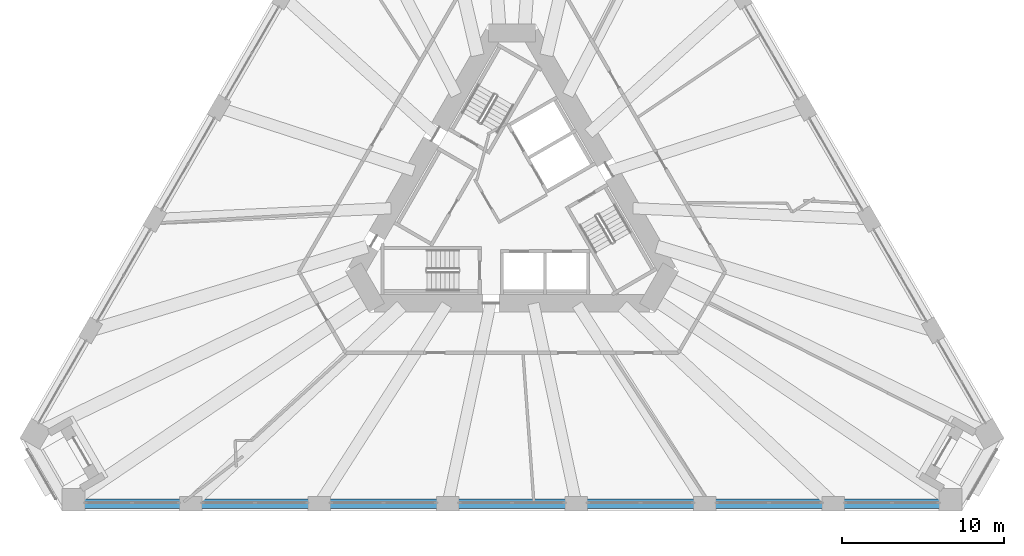
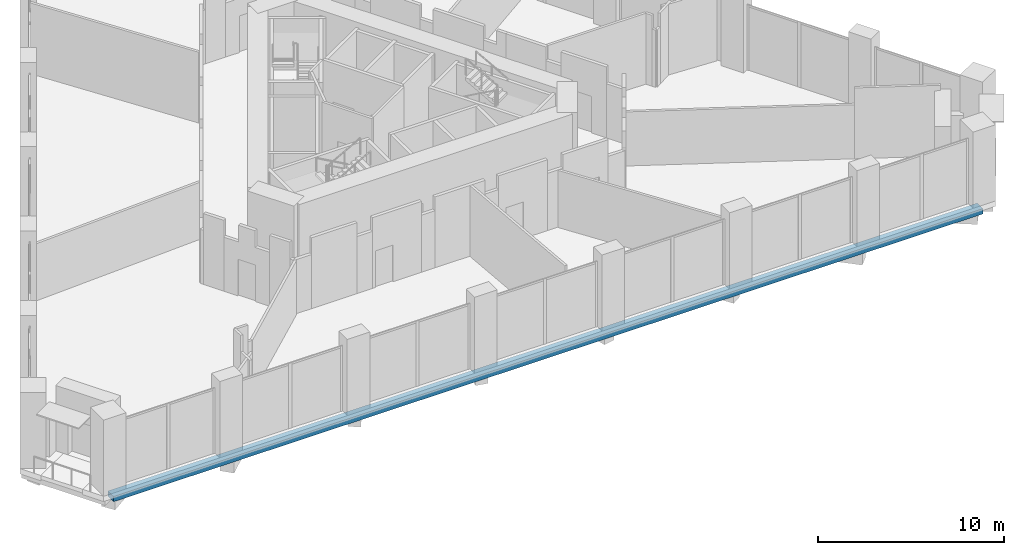
# One storey, part 3 of 20: 1 beam.
"""IFC4 building model written with IfcOpenShell, lengths in metres."""

from ifc_helpers import new_model, si_unit, direction, frame, origin, origin_2d, place, context, subcontext, project, spatial, rectangle, extrude, material, material_profile, profile_set, type_object, element, save


model = new_model("IFC4")

# Units and contexts
model_context = context("Model", 3, precision=1e-05, world=origin(), true_north=direction((0.0, 1.0)))
body_context = subcontext(model_context, "Body", "Model", "MODEL_VIEW")
ifc_project = project(units=[si_unit("LENGTHUNIT", "METRE"), si_unit("AREAUNIT", "SQUARE_METRE"), si_unit("VOLUMEUNIT", "CUBIC_METRE"), si_unit("PLANEANGLEUNIT", "RADIAN"), si_unit("MASSUNIT", "GRAM", prefix="KILO")], contexts=[model_context])

# Site, building, storey
site_placement = place(None, origin())
site = spatial("IfcSite", under=ifc_project, at=site_placement, CompositionType="ELEMENT")
building_placement = place(site_placement, origin())
building = spatial("IfcBuilding", under=site, at=building_placement, Name="Tramontana Tower", CompositionType="ELEMENT")
storey_placement = place(building_placement, frame((0.0, 0.0, 15.0)))
storey = spatial("IfcBuildingStorey", under=building, at=storey_placement, Name="L02", CompositionType="ELEMENT", Elevation=15.0)

# Beam
ifc_material = material(Name="Concrete 40 MPa", Category="concrete")
ifc_material_profile = material_profile(ifc_material, rectangle(XDim=0.60009765625, YDim=0.35009765625, at=origin_2d()), Name="RC EDGE BEAM 600X350 40 MPa")
ifc_profile_set = profile_set([ifc_material_profile], Name="Concrete 40 MPa")
beam_type = type_object("IfcBeamType", Name="RC EDGE BEAM 600X350 40 MPa", PredefinedType="SPANDREL", material=ifc_profile_set)
beam_placement = place(storey_placement, frame((-27.0126953125, -18.550048828125, -0.52490234375), z_axis=(1.0, 0.0, 0.0), x_axis=(0.0, 1.0, 0.0)))
element("IfcBeam", 1, at=beam_placement, inside=storey, type_object=beam_type, Name="Spandrel beam S1 L02", PredefinedType="SPANDREL", context=body_context, shape_type="SweptSolid", body=[
    extrude(rectangle(XDim=0.60009765625, YDim=0.35009765625, at=origin_2d()), origin(), (0.0, 0.0, 1.0), 54.025390625),
])

save(model, "model.ifc")
